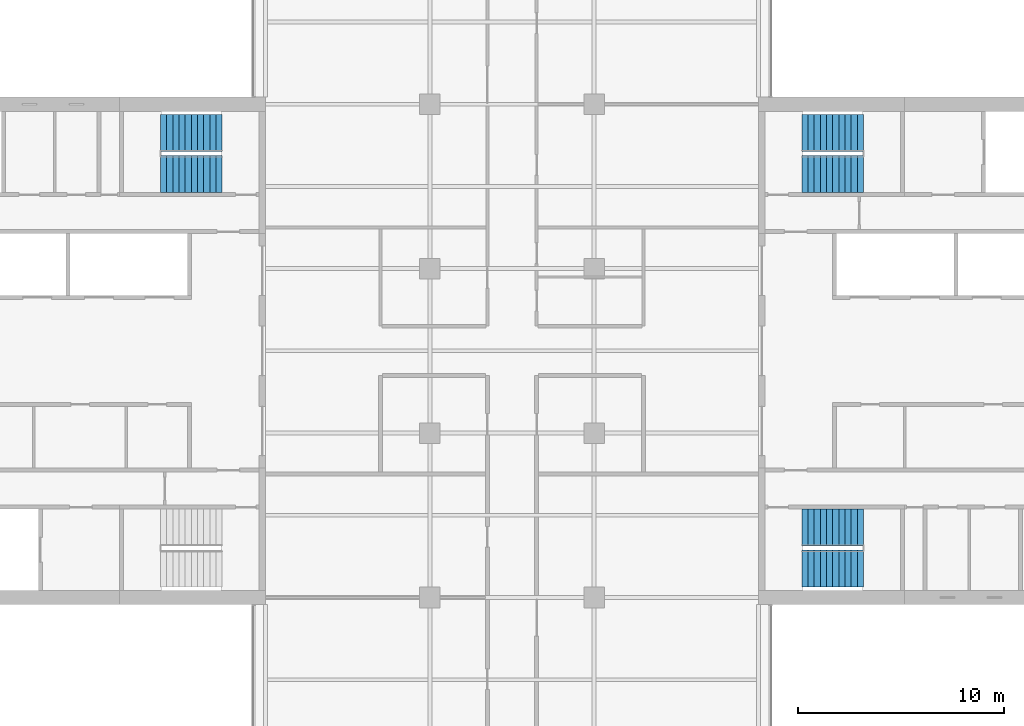
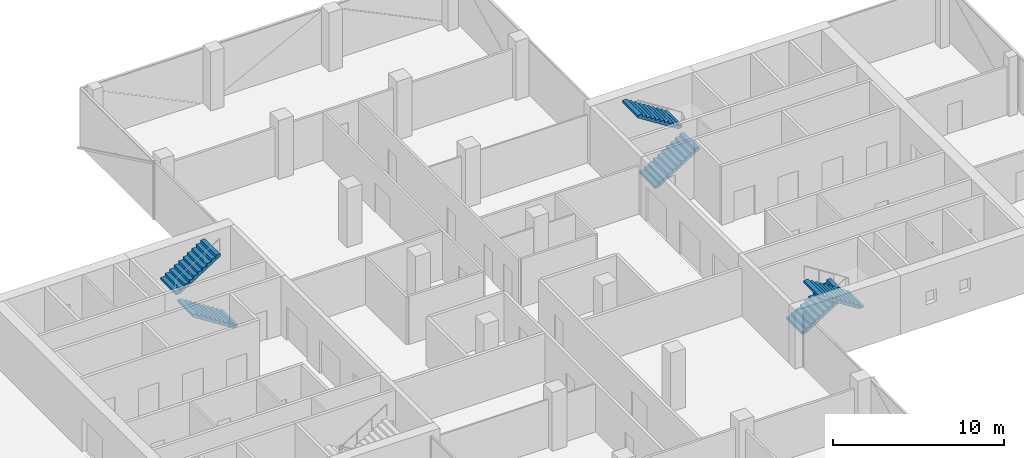
# One storey, part 17 of 22: 6 stair flights, 3 elements without a shape of their own.
"""IFC4 building model written with IfcOpenShell, lengths in metres."""

from ifc_helpers import new_model, si_unit, direction, frame, origin, place, context, subcontext, project, spatial, polyline, outline, extrude, material, type_object, element, aggregate, save


model = new_model("IFC4")

# Units and contexts
model_context = context("Model", 3, precision=1e-05, world=origin(), true_north=direction((0.0, 1.0)))
body_context = subcontext(model_context, "Body", "Model", "MODEL_VIEW")
ifc_project = project(units=[si_unit("LENGTHUNIT", "METRE"), si_unit("AREAUNIT", "SQUARE_METRE"), si_unit("VOLUMEUNIT", "CUBIC_METRE"), si_unit("PLANEANGLEUNIT", "RADIAN"), si_unit("MASSUNIT", "GRAM", prefix="KILO")], contexts=[model_context])

# Site, building, storey
site_placement = place(None, origin())
site = spatial("IfcSite", under=ifc_project, at=site_placement, CompositionType="ELEMENT")
building_placement = place(site_placement, origin())
building = spatial("IfcBuilding", under=site, at=building_placement, Name="Crosswind Convention Tower", CompositionType="ELEMENT")
storey_placement = place(building_placement, frame((0.0, 0.0, 150.5)))
storey = spatial("IfcBuildingStorey", under=building, at=storey_placement, Name="L31", CompositionType="ELEMENT", Elevation=150.5)

# Stair, stair flights
ifc_material = material(Name="Concrete C40/50", Category="concrete")
stair_type = type_object("IfcStairType", Name="Exit stair 1800 wide, 2 flights of 11 risers", PredefinedType="HALF_TURN_STAIR", material=ifc_material)
stair_1_placement = place(storey_placement, origin())
stair_1 = element("IfcStair", 1, at=stair_1_placement, inside=storey, type_object=stair_type, Name="Exit stair ST1 L31", ObjectType="ST5", PredefinedType="HALF_TURN_STAIR")
stair_flight_type = type_object("IfcStairFlightType", Name="Stair flight 1800 wide, 11 risers (SF4)", PredefinedType="STRAIGHT", material=ifc_material)
stair_flight_1_placement = place(storey_placement, frame((139.10009765625, 108.60009765625, 0.0), z_axis=(0.0, 0.0, 1.0), x_axis=(1.0, 0.0, 0.0)))
stair_flight_1 = element("IfcStairFlight", 2, at=stair_flight_1_placement, type_object=stair_flight_type, Name="ST1 flight 1", NumberOfRisers=11, NumberOfTreads=10, PredefinedType="STRAIGHT", RiserHeight=0.190909091, TreadLength=0.3, context=body_context, shape_type="SweptSolid", body=[
    extrude(outline(polyline([(0.0, 0.0), (0.0, 0.19091796875), (0.300048828125, 0.19091796875), (0.300048828125, 0.3818359375), (0.60009765625, 0.3818359375), (0.60009765625, 0.57275390625), (0.89990234375, 0.57275390625), (0.89990234375, 0.763671875), (1.199951171875, 0.763671875), (1.199951171875, 0.95458984375), (1.5, 0.95458984375), (1.5, 1.1455078125), (1.800048828125, 1.1455078125), (1.800048828125, 1.33642578125), (2.10009765625, 1.33642578125), (2.10009765625, 1.52734375), (2.39990234375, 1.52734375), (2.39990234375, 1.71826171875), (2.699951171875, 1.71826171875), (2.699951171875, 1.9091796875), (3.0, 1.9091796875), (3.0, 2.10009765625), (3.0, 1.7314453125), (0.279296875, 0.0), (0.0, 0.0)])), frame((0.0, 0.89990234375, 0.0), z_axis=(0.0, -1.0, 0.0), x_axis=(1.0, 0.0, 0.0)), (0.0, 0.0, 1.0), 1.800048828125),
])
stair_flight_2_placement = place(storey_placement, frame((142.10009765625, 110.60009765625, 2.10009765625), z_axis=(0.0, 0.0, 1.0), x_axis=(-1.0, 0.0, 0.0)))
stair_flight_2 = element("IfcStairFlight", 3, at=stair_flight_2_placement, type_object=stair_flight_type, Name="ST1 flight 2", NumberOfRisers=11, NumberOfTreads=10, PredefinedType="STRAIGHT", RiserHeight=0.190909091, TreadLength=0.3, context=body_context, shape_type="SweptSolid", body=[
    extrude(outline(polyline([(0.0, 0.0), (0.0, 0.19091796875), (0.300048828125, 0.19091796875), (0.300048828125, 0.3818359375), (0.60009765625, 0.3818359375), (0.60009765625, 0.57275390625), (0.89990234375, 0.57275390625), (0.89990234375, 0.763671875), (1.199951171875, 0.763671875), (1.199951171875, 0.95458984375), (1.5, 0.95458984375), (1.5, 1.1455078125), (1.800048828125, 1.1455078125), (1.800048828125, 1.33642578125), (2.10009765625, 1.33642578125), (2.10009765625, 1.52734375), (2.39990234375, 1.52734375), (2.39990234375, 1.71826171875), (2.699951171875, 1.71826171875), (2.699951171875, 1.9091796875), (3.0, 1.9091796875), (3.0, 2.10009765625), (3.0, 1.7314453125), (0.279296875, 0.0), (0.0, 0.0)])), frame((0.0, 0.89990234375, 0.0), z_axis=(0.0, -1.0, 0.0), x_axis=(1.0, 0.0, 0.0)), (0.0, 0.0, 1.0), 1.800048828125),
])
aggregate(stair_1, [stair_flight_1, stair_flight_2])

stair_2_placement = place(storey_placement, origin())
stair_2 = element("IfcStair", 4, at=stair_2_placement, inside=storey, type_object=stair_type, Name="Exit stair ST2 L31", ObjectType="ST5", PredefinedType="HALF_TURN_STAIR")
stair_flight_3_placement = place(storey_placement, frame((139.10009765625, 91.39990234375, 0.0), z_axis=(0.0, 0.0, 1.0), x_axis=(1.0, 0.0, 0.0)))
stair_flight_3 = element("IfcStairFlight", 5, at=stair_flight_3_placement, type_object=stair_flight_type, Name="ST2 flight 1", NumberOfRisers=11, NumberOfTreads=10, PredefinedType="STRAIGHT", RiserHeight=0.190909091, TreadLength=0.3, context=body_context, shape_type="SweptSolid", body=[
    extrude(outline(polyline([(0.0, 0.0), (0.0, 0.19091796875), (0.300048828125, 0.19091796875), (0.300048828125, 0.3818359375), (0.60009765625, 0.3818359375), (0.60009765625, 0.57275390625), (0.89990234375, 0.57275390625), (0.89990234375, 0.763671875), (1.199951171875, 0.763671875), (1.199951171875, 0.95458984375), (1.5, 0.95458984375), (1.5, 1.1455078125), (1.800048828125, 1.1455078125), (1.800048828125, 1.33642578125), (2.10009765625, 1.33642578125), (2.10009765625, 1.52734375), (2.39990234375, 1.52734375), (2.39990234375, 1.71826171875), (2.699951171875, 1.71826171875), (2.699951171875, 1.9091796875), (3.0, 1.9091796875), (3.0, 2.10009765625), (3.0, 1.7314453125), (0.279296875, 0.0), (0.0, 0.0)])), frame((0.0, 0.89990234375, 0.0), z_axis=(0.0, -1.0, 0.0), x_axis=(1.0, 0.0, 0.0)), (0.0, 0.0, 1.0), 1.800048828125),
])
stair_flight_4_placement = place(storey_placement, frame((142.10009765625, 89.39990234375, 2.10009765625), z_axis=(0.0, 0.0, 1.0), x_axis=(-1.0, 0.0, 0.0)))
stair_flight_4 = element("IfcStairFlight", 6, at=stair_flight_4_placement, type_object=stair_flight_type, Name="ST2 flight 2", NumberOfRisers=11, NumberOfTreads=10, PredefinedType="STRAIGHT", RiserHeight=0.190909091, TreadLength=0.3, context=body_context, shape_type="SweptSolid", body=[
    extrude(outline(polyline([(0.0, 0.0), (0.0, 0.19091796875), (0.300048828125, 0.19091796875), (0.300048828125, 0.3818359375), (0.60009765625, 0.3818359375), (0.60009765625, 0.57275390625), (0.89990234375, 0.57275390625), (0.89990234375, 0.763671875), (1.199951171875, 0.763671875), (1.199951171875, 0.95458984375), (1.5, 0.95458984375), (1.5, 1.1455078125), (1.800048828125, 1.1455078125), (1.800048828125, 1.33642578125), (2.10009765625, 1.33642578125), (2.10009765625, 1.52734375), (2.39990234375, 1.52734375), (2.39990234375, 1.71826171875), (2.699951171875, 1.71826171875), (2.699951171875, 1.9091796875), (3.0, 1.9091796875), (3.0, 2.10009765625), (3.0, 1.7314453125), (0.279296875, 0.0), (0.0, 0.0)])), frame((0.0, 0.89990234375, 0.0), z_axis=(0.0, -1.0, 0.0), x_axis=(1.0, 0.0, 0.0)), (0.0, 0.0, 1.0), 1.800048828125),
])
aggregate(stair_2, [stair_flight_3, stair_flight_4])

stair_3_placement = place(storey_placement, origin())
stair_3 = element("IfcStair", 7, at=stair_3_placement, inside=storey, type_object=stair_type, Name="Exit stair ST4 L31", ObjectType="ST5", PredefinedType="HALF_TURN_STAIR")
stair_flight_5_placement = place(storey_placement, frame((110.89990234375, 108.60009765625, 0.0), z_axis=(0.0, 0.0, 1.0), x_axis=(-1.0, 0.0, 0.0)))
stair_flight_5 = element("IfcStairFlight", 8, at=stair_flight_5_placement, type_object=stair_flight_type, Name="ST4 flight 1", NumberOfRisers=11, NumberOfTreads=10, PredefinedType="STRAIGHT", RiserHeight=0.190909091, TreadLength=0.3, context=body_context, shape_type="SweptSolid", body=[
    extrude(outline(polyline([(0.0, 0.0), (0.0, 0.19091796875), (0.300048828125, 0.19091796875), (0.300048828125, 0.3818359375), (0.60009765625, 0.3818359375), (0.60009765625, 0.57275390625), (0.89990234375, 0.57275390625), (0.89990234375, 0.763671875), (1.199951171875, 0.763671875), (1.199951171875, 0.95458984375), (1.5, 0.95458984375), (1.5, 1.1455078125), (1.800048828125, 1.1455078125), (1.800048828125, 1.33642578125), (2.10009765625, 1.33642578125), (2.10009765625, 1.52734375), (2.39990234375, 1.52734375), (2.39990234375, 1.71826171875), (2.699951171875, 1.71826171875), (2.699951171875, 1.9091796875), (3.0, 1.9091796875), (3.0, 2.10009765625), (3.0, 1.7314453125), (0.279296875, 0.0), (0.0, 0.0)])), frame((0.0, 0.89990234375, 0.0), z_axis=(0.0, -1.0, 0.0), x_axis=(1.0, 0.0, 0.0)), (0.0, 0.0, 1.0), 1.800048828125),
])
stair_flight_6_placement = place(storey_placement, frame((107.89990234375, 110.60009765625, 2.10009765625), z_axis=(0.0, 0.0, 1.0), x_axis=(1.0, 0.0, 0.0)))
stair_flight_6 = element("IfcStairFlight", 9, at=stair_flight_6_placement, type_object=stair_flight_type, Name="ST4 flight 2", NumberOfRisers=11, NumberOfTreads=10, PredefinedType="STRAIGHT", RiserHeight=0.190909091, TreadLength=0.3, context=body_context, shape_type="SweptSolid", body=[
    extrude(outline(polyline([(0.0, 0.0), (0.0, 0.19091796875), (0.300048828125, 0.19091796875), (0.300048828125, 0.3818359375), (0.60009765625, 0.3818359375), (0.60009765625, 0.57275390625), (0.89990234375, 0.57275390625), (0.89990234375, 0.763671875), (1.199951171875, 0.763671875), (1.199951171875, 0.95458984375), (1.5, 0.95458984375), (1.5, 1.1455078125), (1.800048828125, 1.1455078125), (1.800048828125, 1.33642578125), (2.10009765625, 1.33642578125), (2.10009765625, 1.52734375), (2.39990234375, 1.52734375), (2.39990234375, 1.71826171875), (2.699951171875, 1.71826171875), (2.699951171875, 1.9091796875), (3.0, 1.9091796875), (3.0, 2.10009765625), (3.0, 1.7314453125), (0.279296875, 0.0), (0.0, 0.0)])), frame((0.0, 0.89990234375, 0.0), z_axis=(0.0, -1.0, 0.0), x_axis=(1.0, 0.0, 0.0)), (0.0, 0.0, 1.0), 1.800048828125),
])
aggregate(stair_3, [stair_flight_5, stair_flight_6])

save(model, "model.ifc")
